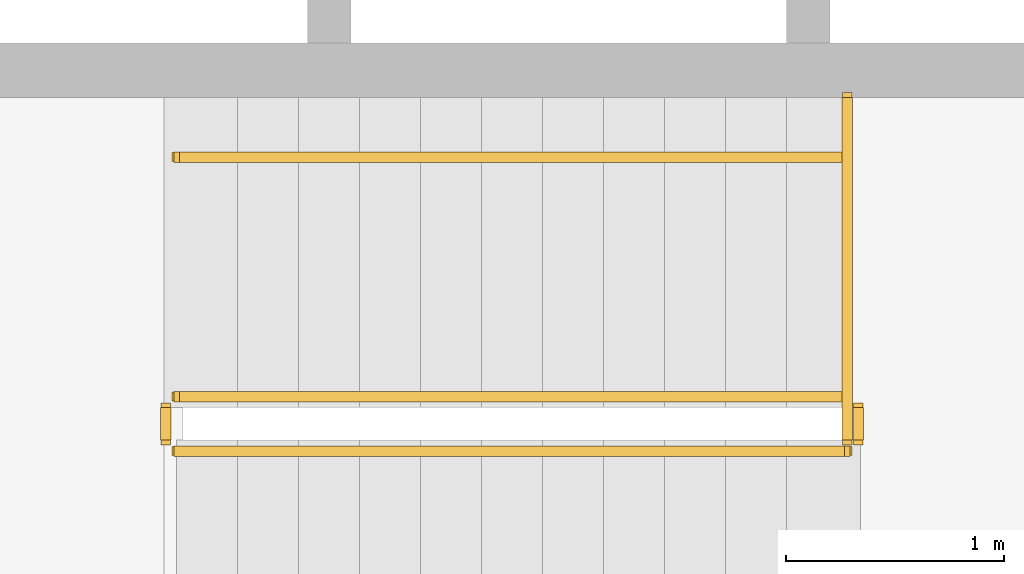
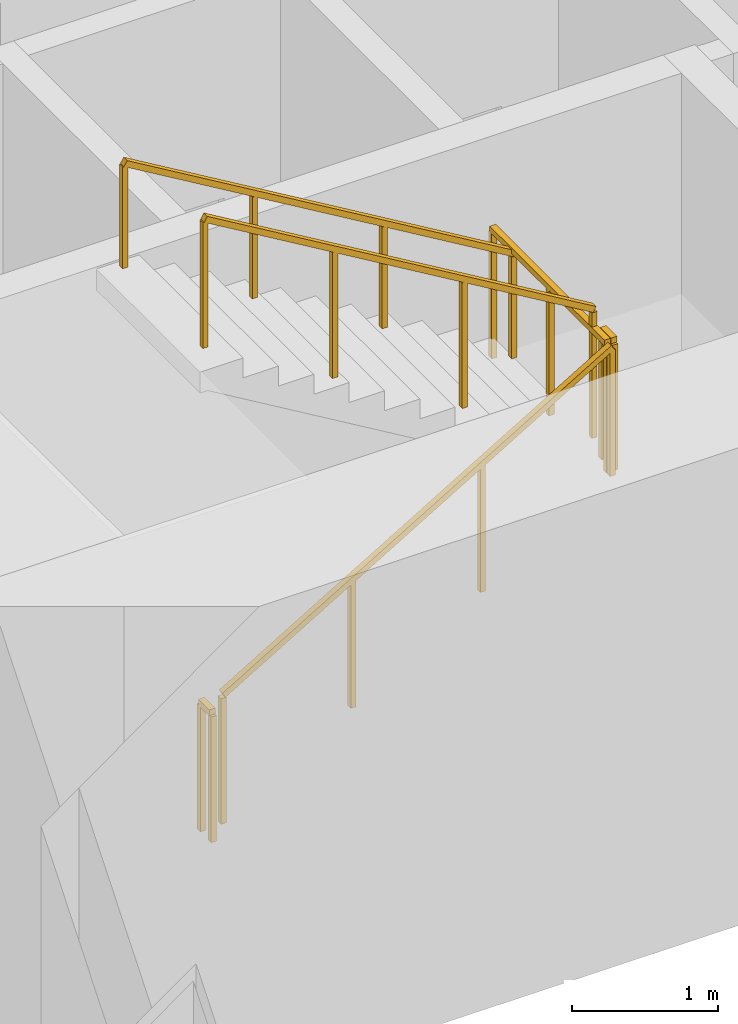
# One storey, part 13 of 16: 6 railings.
"""IFC4 building model written with IfcOpenShell, lengths in metres."""

from ifc_helpers import new_model, si_unit, direction, frame, origin, origin_2d, place, context, subcontext, project, spatial, rectangle, extrude, material, type_object, element, save


model = new_model("IFC4")

# Units and contexts
model_context = context("Model", 3, precision=1e-05, world=origin(), true_north=direction((0.0, 1.0)))
body_context = subcontext(model_context, "Body", "Model", "MODEL_VIEW")
ifc_project = project(units=[si_unit("LENGTHUNIT", "METRE"), si_unit("AREAUNIT", "SQUARE_METRE"), si_unit("VOLUMEUNIT", "CUBIC_METRE"), si_unit("PLANEANGLEUNIT", "RADIAN"), si_unit("MASSUNIT", "GRAM", prefix="KILO")], contexts=[model_context])

# Site, building, storey
site_placement = place(None, origin())
site = spatial("IfcSite", under=ifc_project, at=site_placement, CompositionType="ELEMENT")
building_placement = place(site_placement, origin())
building = spatial("IfcBuilding", under=site, at=building_placement, Name="Sennacour Bend Tower", CompositionType="ELEMENT")
storey_placement = place(building_placement, frame((0.0, 0.0, 119.0)))
storey = spatial("IfcBuildingStorey", under=building, at=storey_placement, Name="L27", CompositionType="ELEMENT", Elevation=119.0)

# Railings
ifc_material = material(Name="Stainless steel", Category="steel")
railing_type_1 = type_object("IfcRailingType", Name="RL-GUARD-1100", PredefinedType="GUARDRAIL", material=ifc_material)
railing_1_placement = place(storey_placement, frame((56.699951171875, 2.449951171875, 0.166748046875)))
element("IfcRailing", 1, at=railing_1_placement, inside=storey, type_object=railing_type_1, Name="L27 SA1 stair guard 1", PredefinedType="GUARDRAIL", context=body_context, shape_type="SweptSolid", body=[
    extrude(rectangle(XDim=0.048095703125, YDim=0.048095703125, at=origin_2d()), frame((0.0, 0.0, 1.076171875), z_axis=(0.859308565015, 0.0, 0.511457515432), x_axis=(0.0, 1.0, 0.0)), (0.0, 0.0, 1.0), 3.58447265625),
    extrude(rectangle(XDim=0.0419921875, YDim=0.0419921875, at=origin_2d()), origin(), (0.0, 0.0, 1.0), 1.052001953125),
    extrude(rectangle(XDim=0.0419921875, YDim=0.0419921875, at=origin_2d()), frame((1.026611328125, 0.0, 0.611083984375)), (0.0, 0.0, 1.0), 1.052001953125),
    extrude(rectangle(XDim=0.0419921875, YDim=0.0419921875, at=origin_2d()), frame((2.053466796875, 0.0, 1.22216796875)), (0.0, 0.0, 1.0), 1.052001953125),
    extrude(rectangle(XDim=0.0419921875, YDim=0.0419921875, at=origin_2d()), frame((3.080078125, 0.0, 1.833251953125)), (0.0, 0.0, 1.0), 1.052001953125),
])
railing_2_placement = place(storey_placement, frame((59.830078125, 2.5, 2.0)))
element("IfcRailing", 2, at=railing_2_placement, inside=storey, type_object=railing_type_1, Name="L27 SA1 stair guard 2", PredefinedType="GUARDRAIL", context=body_context, shape_type="SweptSolid", body=[
    extrude(rectangle(XDim=0.048095703125, YDim=0.048095703125, at=origin_2d()), frame((0.0, 0.0, 1.076171875), z_axis=(0.0, 1.0, 0.0), x_axis=(-1.0, 0.0, 0.0)), (0.0, 0.0, 1.0), 0.14990234375),
    extrude(rectangle(XDim=0.0419921875, YDim=0.0419921875, at=origin_2d()), origin(), (0.0, 0.0, 1.0), 1.052001953125),
    extrude(rectangle(XDim=0.0419921875, YDim=0.0419921875, at=origin_2d()), frame((0.0, 0.14990234375, 0.0)), (0.0, 0.0, 1.0), 1.052001953125),
])
railing_3_placement = place(storey_placement, frame((59.780029296875, 2.699951171875, 2.166748046875)))
element("IfcRailing", 3, at=railing_3_placement, inside=storey, type_object=railing_type_1, Name="L27 SA1 stair guard 4", PredefinedType="GUARDRAIL", context=body_context, shape_type="SweptSolid", body=[
    extrude(rectangle(XDim=0.048095703125, YDim=0.048095703125, at=origin_2d()), frame((0.0, 0.0, 1.076171875), z_axis=(-0.859308565015, 0.0, 0.511457515432), x_axis=(0.0, -1.0, 0.0)), (0.0, 0.0, 1.0), 3.58447265625),
    extrude(rectangle(XDim=0.0419921875, YDim=0.0419921875, at=origin_2d()), origin(), (0.0, 0.0, 1.0), 1.052001953125),
    extrude(rectangle(XDim=0.0419921875, YDim=0.0419921875, at=origin_2d()), frame((-1.026611328125, 0.0, 0.611083984375)), (0.0, 0.0, 1.0), 1.052001953125),
    extrude(rectangle(XDim=0.0419921875, YDim=0.0419921875, at=origin_2d()), frame((-2.053466796875, 0.0, 1.22216796875)), (0.0, 0.0, 1.0), 1.052001953125),
    extrude(rectangle(XDim=0.0419921875, YDim=0.0419921875, at=origin_2d()), frame((-3.080078125, 0.0, 1.833251953125)), (0.0, 0.0, 1.0), 1.052001953125),
])
railing_4_placement = place(storey_placement, frame((56.64990234375, 2.5, 0.0)))
element("IfcRailing", 4, at=railing_4_placement, inside=storey, type_object=railing_type_1, Name="L27 SA1 stair guard 5", PredefinedType="GUARDRAIL", context=body_context, shape_type="SweptSolid", body=[
    extrude(rectangle(XDim=0.048095703125, YDim=0.048095703125, at=origin_2d()), frame((0.0, 0.0, 1.076171875), z_axis=(0.0, 1.0, 0.0), x_axis=(-1.0, 0.0, 0.0)), (0.0, 0.0, 1.0), 0.14990234375),
    extrude(rectangle(XDim=0.0419921875, YDim=0.0419921875, at=origin_2d()), origin(), (0.0, 0.0, 1.0), 1.052001953125),
    extrude(rectangle(XDim=0.0419921875, YDim=0.0419921875, at=origin_2d()), frame((0.0, 0.14990234375, 0.0)), (0.0, 0.0, 1.0), 1.052001953125),
])
railing_5_placement = place(storey_placement, frame((59.780029296875, 2.5, 2.0)))
element("IfcRailing", 5, at=railing_5_placement, inside=storey, type_object=railing_type_1, Name="L27 SA1 landing edge guard 45", PredefinedType="GUARDRAIL", context=body_context, shape_type="SweptSolid", body=[
    extrude(rectangle(XDim=0.048095703125, YDim=0.048095703125, at=origin_2d()), frame((0.0, 0.0, 1.076171875), z_axis=(0.0, 1.0, 0.0), x_axis=(-1.0, 0.0, 0.0)), (0.0, 0.0, 1.0), 1.574951171875),
    extrude(rectangle(XDim=0.0419921875, YDim=0.0419921875, at=origin_2d()), origin(), (0.0, 0.0, 1.0), 1.052001953125),
    extrude(rectangle(XDim=0.0419921875, YDim=0.0419921875, at=origin_2d()), frame((0.0, 0.78759765625, 0.0)), (0.0, 0.0, 1.0), 1.052001953125),
    extrude(rectangle(XDim=0.0419921875, YDim=0.0419921875, at=origin_2d()), frame((0.0, 1.574951171875, 0.0)), (0.0, 0.0, 1.0), 1.052001953125),
])
railing_type_2 = type_object("IfcRailingType", Name="RL-HANDRAIL-900", PredefinedType="HANDRAIL", material=ifc_material)
railing_6_placement = place(storey_placement, frame((59.780029296875, 3.800048828125, 2.166748046875)))
element("IfcRailing", 6, at=railing_6_placement, inside=storey, type_object=railing_type_2, Name="L27 SA1 stair handrail 2", PredefinedType="HANDRAIL", context=body_context, shape_type="SweptSolid", body=[
    extrude(rectangle(XDim=0.048095703125, YDim=0.048095703125, at=origin_2d()), frame((0.0, 0.0, 0.8759765625), z_axis=(-0.859308565015, 0.0, 0.511457515432), x_axis=(0.0, -1.0, 0.0)), (0.0, 0.0, 1.0), 3.58447265625),
    extrude(rectangle(XDim=0.0419921875, YDim=0.0419921875, at=origin_2d()), origin(), (0.0, 0.0, 1.0), 0.851806640625),
    extrude(rectangle(XDim=0.0419921875, YDim=0.0419921875, at=origin_2d()), frame((-1.026611328125, 0.0, 0.611083984375)), (0.0, 0.0, 1.0), 0.851806640625),
    extrude(rectangle(XDim=0.0419921875, YDim=0.0419921875, at=origin_2d()), frame((-2.053466796875, 0.0, 1.22216796875)), (0.0, 0.0, 1.0), 0.851806640625),
    extrude(rectangle(XDim=0.0419921875, YDim=0.0419921875, at=origin_2d()), frame((-3.080078125, 0.0, 1.833251953125)), (0.0, 0.0, 1.0), 0.851806640625),
])

save(model, "model.ifc")
